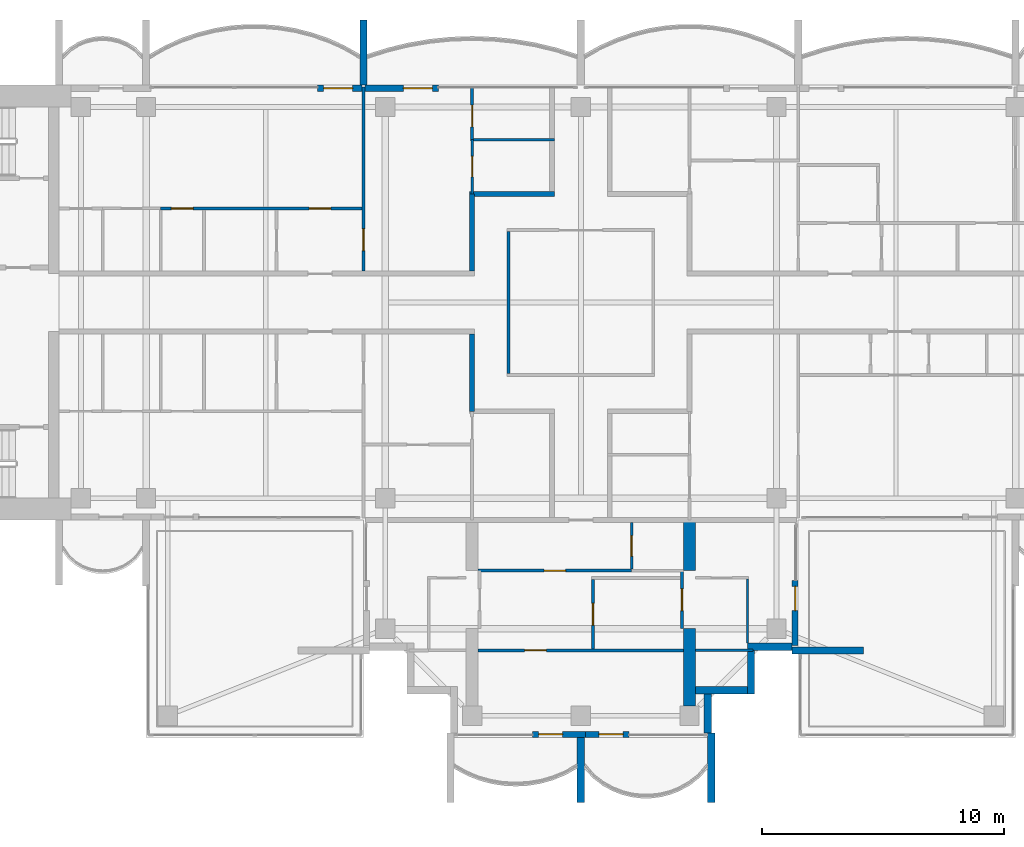
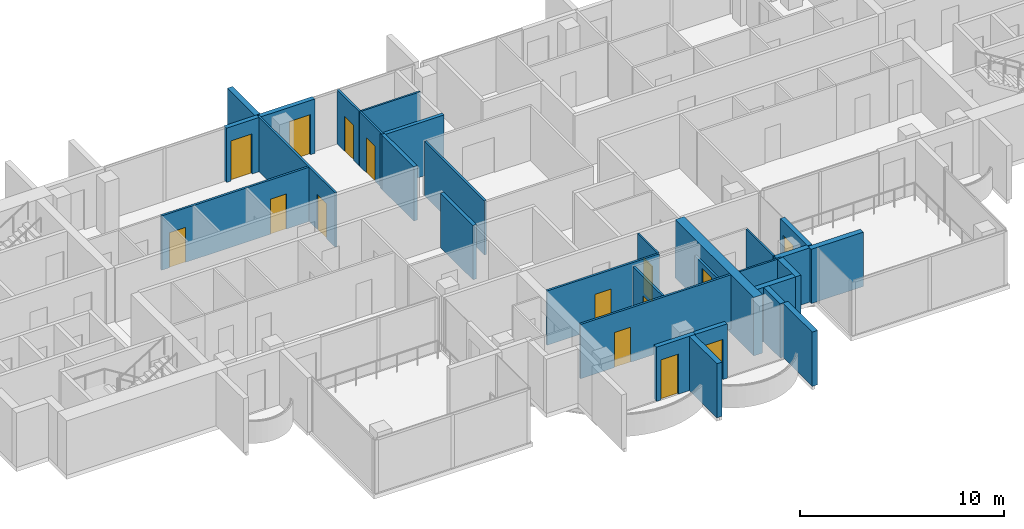
# One storey, part 9 of 17: 30 walls, 15 doors, 15 openings.
"""IFC4 building model written with IfcOpenShell, lengths in metres."""

from ifc_helpers import new_model, si_unit, direction, frame, frame_2d, origin, place, context, subcontext, project, spatial, polyline, rectangle, outline, extrude, material, layer, layer_set, material_profile, profile_set, type_object, element, fill, save


model = new_model("IFC4")

# Units and contexts
model_context = context("Model", 3, precision=1e-05, world=origin(), true_north=direction((0.0, 1.0)))
body_context = subcontext(model_context, "Body", "Model", "MODEL_VIEW")
ifc_project = project(units=[si_unit("LENGTHUNIT", "METRE"), si_unit("AREAUNIT", "SQUARE_METRE"), si_unit("VOLUMEUNIT", "CUBIC_METRE"), si_unit("PLANEANGLEUNIT", "RADIAN"), si_unit("MASSUNIT", "GRAM", prefix="KILO")], contexts=[model_context])

# Site, building, storey
site_placement = place(None, origin())
site = spatial("IfcSite", under=ifc_project, at=site_placement, CompositionType="ELEMENT")
building_placement = place(site_placement, origin())
building = spatial("IfcBuilding", under=site, at=building_placement, Name="Perihelion Cross Residences", CompositionType="ELEMENT")
storey_placement = place(building_placement, frame((0.0, 0.0, 278.0)))
storey = spatial("IfcBuildingStorey", under=building, at=storey_placement, Name="L71", CompositionType="ELEMENT", Elevation=278.0)

# Walls
ifc_material_1 = material(Name="Plasterboard partition")
ifc_layer_1 = layer(ifc_material_1, 0.199951171875)
ifc_layer_set_1 = layer_set([ifc_layer_1], Name="Apartment separation wall 200")
wall_type_1 = type_object("IfcWallType", Name="Apartment separation wall 200", PredefinedType="PARTITIONING", material=ifc_layer_set_1)
wall_1_placement = place(storey_placement, frame((-4.5, 1.300048828125, 0.0), z_axis=(0.0, 0.0, 1.0), x_axis=(0.0, 1.0, 0.0)))
element("IfcWall", 1, at=wall_1_placement, inside=storey, type_object=wall_type_1, Name="Partition L71 W014", PredefinedType="PARTITIONING", context=body_context, shape_type="SweptSolid", body=[
    extrude(rectangle(XDim=3.199951171875, YDim=0.199951171875, at=frame_2d((1.60009765625, 0.0))), origin(), (0.0, 0.0, 1.0), 3.25),
])
wall_2_placement = place(storey_placement, frame((-4.60009765625, 4.5, 0.0), z_axis=(0.0, 0.0, 1.0), x_axis=(1.0, 0.0, 0.0)))
element("IfcWall", 2, at=wall_2_placement, inside=storey, type_object=wall_type_1, Name="Partition L71 W015", PredefinedType="PARTITIONING", context=body_context, shape_type="SweptSolid", body=[
    extrude(rectangle(XDim=3.5, YDim=0.199951171875, at=frame_2d((1.75, 0.0))), origin(), (0.0, 0.0, 1.0), 3.25),
])
wall_3_placement = place(storey_placement, frame((-4.5, -4.5, 0.0), z_axis=(0.0, 0.0, 1.0), x_axis=(0.0, 1.0, 0.0)))
element("IfcWall", 3, at=wall_3_placement, inside=storey, type_object=wall_type_1, Name="Partition L71 W018", PredefinedType="PARTITIONING", context=body_context, shape_type="SweptSolid", body=[
    extrude(rectangle(XDim=3.199951171875, YDim=0.199951171875, at=frame_2d((1.60009765625, 0.0))), origin(), (0.0, 0.0, 1.0), 3.25),
])

# Wall, opening, door
ifc_material_2 = material(Name="Concrete C30/37, bronze-clad", Category="concrete")
ifc_layer_2 = layer(ifc_material_2, 0.25)
ifc_layer_set_2 = layer_set([ifc_layer_2], Name="Bronze-clad pier wall 250")
wall_type_2 = type_object("IfcWallType", Name="Bronze-clad pier wall 250", PredefinedType="SOLIDWALL", material=ifc_layer_set_2)
wall_4_placement = place(storey_placement, frame((-5.89990234375, 8.875, 0.0), z_axis=(0.0, 0.0, 1.0), x_axis=(-1.0, 0.0, 0.0)))
wall_4 = element("IfcWall", 4, at=wall_4_placement, inside=storey, type_object=wall_type_2, Name="Wall FW1 L71 north side east bay 2 pier", PredefinedType="SOLIDWALL", context=body_context, shape_type="SweptSolid", body=[
    extrude(rectangle(XDim=3.0400390625, YDim=0.25, at=frame_2d((1.52001953125, 0.0))), origin(), (0.0, 0.0, 1.0), 3.25),
])
opening_1_placement = place(wall_4_placement, frame((0.25, 0.0, 0.0)))
opening_1 = element("IfcOpeningElement", 5, at=opening_1_placement, cuts=wall_4, Name="Opening L71.E04", PredefinedType="OPENING", context=body_context, shape_type="SweptSolid", body=[
    extrude(rectangle(XDim=1.199951171875, YDim=2.39990234375, at=frame_2d((0.60009765625, 1.199951171875))), frame((0.0, 0.135009765625, 0.0), z_axis=(0.0, -1.0, 0.0), x_axis=(1.0, 0.0, 0.0)), (0.0, 0.0, 1.0), 0.27001953125),
])
ifc_material_3 = material(Name="Bronze anodised aluminium, glazed", Category="aluminium")
door_type_1 = type_object("IfcDoorType", Name="Balcony door 1200 x 2400", OperationType="NOTDEFINED", PredefinedType="DOOR", material=ifc_material_3)
door_1_placement = place(opening_1_placement, origin())
door_1 = element("IfcDoor", 6, at=door_1_placement, inside=storey, type_object=door_type_1, Name="Door L71.E04 north side east bay 2", OperationType="SINGLE_SWING_RIGHT", OverallHeight=2.39990234375, OverallWidth=1.199951171875, PredefinedType="DOOR", context=body_context, shape_type="SweptSolid", body=[
    extrude(rectangle(XDim=1.199951171875, YDim=2.39990234375, at=frame_2d((0.60009765625, 1.199951171875))), frame((0.0, 0.02490234375, 0.0), z_axis=(0.0, -1.0, 0.0), x_axis=(1.0, 0.0, 0.0)), (0.0, 0.0, 1.0), 0.050048828125),
])
fill(opening_1, door_1)

wall_5_placement = place(storey_placement, frame((-9.06005859375, 8.875, 0.0), z_axis=(0.0, 0.0, 1.0), x_axis=(-1.0, 0.0, 0.0)))
wall_5 = element("IfcWall", 7, at=wall_5_placement, inside=storey, type_object=wall_type_2, Name="Wall FW1 L71 west side north bay 1 pier", PredefinedType="SOLIDWALL", context=body_context, shape_type="SweptSolid", body=[
    extrude(rectangle(XDim=1.83984375, YDim=0.25, at=frame_2d((0.919921875, 0.0))), origin(), (0.0, 0.0, 1.0), 3.25),
])
opening_2_placement = place(wall_5_placement, frame((0.389892578125, 0.0, 0.0)))
opening_2 = element("IfcOpeningElement", 8, at=opening_2_placement, cuts=wall_5, Name="Opening L71.E05", PredefinedType="OPENING", context=body_context, shape_type="SweptSolid", body=[
    extrude(rectangle(XDim=1.199951171875, YDim=2.39990234375, at=frame_2d((0.60009765625, 1.199951171875))), frame((0.0, 0.135009765625, 0.0), z_axis=(0.0, -1.0, 0.0), x_axis=(1.0, 0.0, 0.0)), (0.0, 0.0, 1.0), 0.27001953125),
])
door_2_placement = place(opening_2_placement, origin())
door_2 = element("IfcDoor", 9, at=door_2_placement, inside=storey, type_object=door_type_1, Name="Door L71.E05 west side north bay 1", OperationType="SINGLE_SWING_LEFT", OverallHeight=2.39990234375, OverallWidth=1.199951171875, PredefinedType="DOOR", context=body_context, shape_type="SweptSolid", body=[
    extrude(rectangle(XDim=1.199951171875, YDim=2.39990234375, at=frame_2d((0.60009765625, 1.199951171875))), frame((0.0, 0.02490234375, 0.0), z_axis=(0.0, -1.0, 0.0), x_axis=(1.0, 0.0, 0.0)), (0.0, 0.0, 1.0), 0.050048828125),
])
fill(opening_2, door_2)

wall_6_placement = place(storey_placement, frame((-2.0, -17.875, 0.0), z_axis=(0.0, 0.0, 1.0), x_axis=(1.0, 0.0, 0.0)))
wall_6 = element("IfcWall", 10, at=wall_6_placement, inside=storey, type_object=wall_type_2, Name="Wall FW1 L71 south tip south bay 1 pier", PredefinedType="SOLIDWALL", context=body_context, shape_type="SweptSolid", body=[
    extrude(rectangle(XDim=2.199951171875, YDim=0.25, at=frame_2d((1.10009765625, 0.0))), origin(), (0.0, 0.0, 1.0), 3.25),
])
opening_3_placement = place(wall_6_placement, frame((0.25, 0.0, 0.0)))
opening_3 = element("IfcOpeningElement", 11, at=opening_3_placement, cuts=wall_6, Name="Opening L71.E10", PredefinedType="OPENING", context=body_context, shape_type="SweptSolid", body=[
    extrude(rectangle(XDim=1.0, YDim=2.39990234375, at=frame_2d((0.5, 1.199951171875))), frame((0.0, 0.135009765625, 0.0), z_axis=(0.0, -1.0, 0.0), x_axis=(1.0, 0.0, 0.0)), (0.0, 0.0, 1.0), 0.27001953125),
])
ifc_material_4 = material(Name="Bronze anodised aluminium, glazed", Category="aluminium")
door_type_2 = type_object("IfcDoorType", Name="Balcony door 1000 x 2400", OperationType="NOTDEFINED", PredefinedType="DOOR", material=ifc_material_4)
door_3_placement = place(opening_3_placement, origin())
door_3 = element("IfcDoor", 12, at=door_3_placement, inside=storey, type_object=door_type_2, Name="Door L71.E10 south tip south bay 1", OperationType="SINGLE_SWING_RIGHT", OverallHeight=2.39990234375, OverallWidth=1.0, PredefinedType="DOOR", context=body_context, shape_type="SweptSolid", body=[
    extrude(rectangle(XDim=1.0, YDim=2.39990234375, at=frame_2d((0.5, 1.199951171875))), frame((0.0, 0.02490234375, 0.0), z_axis=(0.0, -1.0, 0.0), x_axis=(1.0, 0.0, 0.0)), (0.0, 0.0, 1.0), 0.050048828125),
])
fill(opening_3, door_3)

wall_7_placement = place(storey_placement, frame((0.199951171875, -17.875, 0.0), z_axis=(0.0, 0.0, 1.0), x_axis=(1.0, 0.0, 0.0)))
wall_7 = element("IfcWall", 13, at=wall_7_placement, inside=storey, type_object=wall_type_2, Name="Wall FW1 L71 south tip south bay 2 pier", PredefinedType="SOLIDWALL", context=body_context, shape_type="SweptSolid", body=[
    extrude(rectangle(XDim=1.800048828125, YDim=0.25, at=frame_2d((0.89990234375, 0.0))), origin(), (0.0, 0.0, 1.0), 3.25),
])
opening_4_placement = place(wall_7_placement, frame((0.550048828125, 0.0, 0.0)))
opening_4 = element("IfcOpeningElement", 14, at=opening_4_placement, cuts=wall_7, Name="Opening L71.E11", PredefinedType="OPENING", context=body_context, shape_type="SweptSolid", body=[
    extrude(rectangle(XDim=1.0, YDim=2.39990234375, at=frame_2d((0.5, 1.199951171875))), frame((0.0, 0.135009765625, 0.0), z_axis=(0.0, -1.0, 0.0), x_axis=(1.0, 0.0, 0.0)), (0.0, 0.0, 1.0), 0.27001953125),
])
door_4_placement = place(opening_4_placement, origin())
door_4 = element("IfcDoor", 15, at=door_4_placement, inside=storey, type_object=door_type_2, Name="Door L71.E11 south tip south bay 2", OperationType="SINGLE_SWING_LEFT", OverallHeight=2.39990234375, OverallWidth=1.0, PredefinedType="DOOR", context=body_context, shape_type="SweptSolid", body=[
    extrude(rectangle(XDim=1.0, YDim=2.39990234375, at=frame_2d((0.5, 1.199951171875))), frame((0.0, 0.02490234375, 0.0), z_axis=(0.0, -1.0, 0.0), x_axis=(1.0, 0.0, 0.0)), (0.0, 0.0, 1.0), 0.050048828125),
])
fill(opening_4, door_4)

wall_8_placement = place(storey_placement, frame((8.875, -14.199951171875, 0.0), z_axis=(0.0, 0.0, 1.0), x_axis=(0.0, 1.0, 0.0)))
wall_8 = element("IfcWall", 16, at=wall_8_placement, inside=storey, type_object=wall_type_2, Name="Wall FW1 L71 south side east bay 1 pier", PredefinedType="SOLIDWALL", context=body_context, shape_type="SweptSolid", body=[
    extrude(rectangle(XDim=2.699951171875, YDim=0.25, at=frame_2d((1.35009765625, 0.0))), origin(), (0.0, 0.0, 1.0), 3.25),
])
opening_5_placement = place(wall_8_placement, frame((1.449951171875, 0.0, 0.0)))
opening_5 = element("IfcOpeningElement", 17, at=opening_5_placement, cuts=wall_8, Name="Opening L71.E12", PredefinedType="OPENING", context=body_context, shape_type="SweptSolid", body=[
    extrude(rectangle(XDim=1.0, YDim=2.39990234375, at=frame_2d((0.5, 1.199951171875))), frame((0.0, 0.135009765625, 0.0), z_axis=(0.0, -1.0, 0.0), x_axis=(1.0, 0.0, 0.0)), (0.0, 0.0, 1.0), 0.27001953125),
])
door_5_placement = place(opening_5_placement, origin())
door_5 = element("IfcDoor", 18, at=door_5_placement, inside=storey, type_object=door_type_2, Name="Door L71.E12 south side east bay 1", OperationType="SINGLE_SWING_RIGHT", OverallHeight=2.39990234375, OverallWidth=1.0, PredefinedType="DOOR", context=body_context, shape_type="SweptSolid", body=[
    extrude(rectangle(XDim=1.0, YDim=2.39990234375, at=frame_2d((0.5, 1.199951171875))), frame((0.0, 0.02490234375, 0.0), z_axis=(0.0, -1.0, 0.0), x_axis=(1.0, 0.0, 0.0)), (0.0, 0.0, 1.0), 0.050048828125),
])
fill(opening_5, door_5)

# Walls
ifc_material_5 = material(Name="Concrete C30/37, bronze-clad", Category="concrete")
ifc_layer_3 = layer(ifc_material_5, 0.300048828125)
ifc_layer_set_3 = layer_set([ifc_layer_3], Name="Bronze-clad serration wall 300")
wall_type_3 = type_object("IfcWallType", Name="Bronze-clad serration wall 300", PredefinedType="SOLIDWALL", material=ifc_layer_set_3)
wall_9_placement = place(storey_placement, frame((5.25, -17.820068359375, 0.0), z_axis=(0.0, 0.0, 1.0), x_axis=(0.0, 1.0, 0.0)))
element("IfcWall", 19, at=wall_9_placement, inside=storey, type_object=wall_type_3, Name="Wall SR1 L71 south corner south-east 1", PredefinedType="SOLIDWALL", context=body_context, shape_type="SweptSolid", body=[
    extrude(rectangle(XDim=1.6201171875, YDim=0.300048828125, at=frame_2d((0.81005859375, 0.0))), origin(), (0.0, 0.0, 1.0), 3.25),
])
wall_10_placement = place(storey_placement, frame((4.75, -16.050048828125, 0.0), z_axis=(0.0, 0.0, 1.0), x_axis=(1.0, 0.0, 0.0)))
element("IfcWall", 20, at=wall_10_placement, inside=storey, type_object=wall_type_3, Name="Wall SR1 L71 south corner south-east 2", PredefinedType="SOLIDWALL", context=body_context, shape_type="SweptSolid", body=[
    extrude(rectangle(XDim=2.14990234375, YDim=0.300048828125, at=frame_2d((1.074951171875, 0.0))), origin(), (0.0, 0.0, 1.0), 3.25),
])
wall_11_placement = place(storey_placement, frame((7.050048828125, -16.199951171875, 0.0), z_axis=(0.0, 0.0, 1.0), x_axis=(0.0, 1.0, 0.0)))
element("IfcWall", 21, at=wall_11_placement, inside=storey, type_object=wall_type_3, Name="Wall SR1 L71 south corner south-east 3", PredefinedType="SOLIDWALL", context=body_context, shape_type="SweptSolid", body=[
    extrude(rectangle(XDim=1.800048828125, YDim=0.300048828125, at=frame_2d((0.89990234375, 0.0))), origin(), (0.0, 0.0, 1.0), 3.25),
])
wall_12_placement = place(storey_placement, frame((6.89990234375, -14.25, 0.0), z_axis=(0.0, 0.0, 1.0), x_axis=(1.0, 0.0, 0.0)))
element("IfcWall", 22, at=wall_12_placement, inside=storey, type_object=wall_type_3, Name="Wall SR1 L71 south corner south-east 4", PredefinedType="SOLIDWALL", context=body_context, shape_type="SweptSolid", body=[
    extrude(rectangle(XDim=1.85009765625, YDim=0.300048828125, at=frame_2d((0.925048828125, 0.0))), origin(), (0.0, 0.0, 1.0), 3.25),
])

# Wall, opening, door
ifc_material_6 = material(Name="Plasterboard partition")
ifc_layer_4 = layer(ifc_material_6, 0.1201171875)
ifc_layer_set_4 = layer_set([ifc_layer_4], Name="Infill panel 120")
wall_type_4 = type_object("IfcWallType", Name="Infill panel 120", PredefinedType="PARTITIONING", material=ifc_layer_set_4)
wall_13_placement = place(storey_placement, frame((4.18994140625, -11.10009765625, 0.0), z_axis=(0.0, 0.0, 1.0), x_axis=(0.0, -1.0, 0.0)))
wall_13 = element("IfcWall", 23, at=wall_13_placement, inside=storey, type_object=wall_type_4, Name="Partition L71 WI01", PredefinedType="PARTITIONING", context=body_context, shape_type="SweptSolid", body=[
    extrude(rectangle(XDim=2.39990234375, YDim=0.1201171875, at=frame_2d((1.199951171875, 0.0))), origin(), (0.0, 0.0, 1.0), 2.39990234375),
])
opening_6_placement = place(wall_13_placement, frame((0.75, 0.0, 0.0)))
opening_6 = element("IfcOpeningElement", 24, at=opening_6_placement, cuts=wall_13, Name="Opening L71.A46", PredefinedType="OPENING", context=body_context, shape_type="SweptSolid", body=[
    extrude(rectangle(XDim=0.89990234375, YDim=2.10009765625, at=frame_2d((0.449951171875, 1.050048828125))), frame((0.0, 0.070068359375, 0.0), z_axis=(0.0, -1.0, 0.0), x_axis=(1.0, 0.0, 0.0)), (0.0, 0.0, 1.0), 0.14013671875),
])
ifc_material_7 = material(Name="Timber door leaf", Category="wood")
door_type_3 = type_object("IfcDoorType", Name="Interior room door 900 x 2100", OperationType="SINGLE_SWING_LEFT", PredefinedType="DOOR", material=ifc_material_7)
door_6_placement = place(opening_6_placement, origin())
door_6 = element("IfcDoor", 25, at=door_6_placement, inside=storey, type_object=door_type_3, Name="Door L71.A46", OperationType="SINGLE_SWING_LEFT", OverallHeight=2.10009765625, OverallWidth=0.89990234375, PredefinedType="DOOR", context=body_context, shape_type="SweptSolid", body=[
    extrude(rectangle(XDim=0.89990234375, YDim=2.10009765625, at=frame_2d((0.449951171875, 1.050048828125))), frame((0.0, 0.02490234375, 0.0), z_axis=(0.0, -1.0, 0.0), x_axis=(1.0, 0.0, 0.0)), (0.0, 0.0, 1.0), 0.050048828125),
])
fill(opening_6, door_6)

# Wall
ifc_material_8 = material(Name="Plasterboard partition")
ifc_layer_5 = layer(ifc_material_8, 0.1201171875)
ifc_layer_set_5 = layer_set([ifc_layer_5], Name="Partition wall 120")
wall_type_5 = type_object("IfcWallType", Name="Partition wall 120", PredefinedType="PARTITIONING", material=ifc_layer_set_5)
wall_14_placement = place(storey_placement, frame((-3.0, 2.93994140625, 0.0), z_axis=(0.0, 0.0, 1.0), x_axis=(0.0, -1.0, 0.0)))
element("IfcWall", 26, at=wall_14_placement, inside=storey, type_object=wall_type_5, Name="Partition L71 W004", PredefinedType="PARTITIONING", context=body_context, shape_type="SweptSolid", body=[
    extrude(rectangle(XDim=5.8798828125, YDim=0.1201171875, at=frame_2d((2.93994140625, 0.0))), origin(), (0.0, 0.0, 1.0), 3.25),
])

# Wall, openings, doors
wall_15_placement = place(storey_placement, frame((-17.39990234375, 3.89990234375, 0.0), z_axis=(0.0, 0.0, 1.0), x_axis=(1.0, 0.0, 0.0)))
wall_15 = element("IfcWall", 27, at=wall_15_placement, inside=storey, type_object=wall_type_5, Name="Partition L71 W047", PredefinedType="PARTITIONING", context=body_context, shape_type="SweptSolid", body=[
    extrude(rectangle(XDim=8.4599609375, YDim=0.1201171875, at=frame_2d((4.22998046875, 0.0))), origin(), (0.0, 0.0, 1.0), 3.25),
])
opening_7_placement = place(wall_15_placement, frame((0.449951171875, 0.0, 0.0)))
opening_7 = element("IfcOpeningElement", 28, at=opening_7_placement, cuts=wall_15, Name="Opening L71.A22", PredefinedType="OPENING", context=body_context, shape_type="SweptSolid", body=[
    extrude(rectangle(XDim=0.89990234375, YDim=2.10009765625, at=frame_2d((0.449951171875, 1.050048828125))), frame((0.0, 0.070068359375, 0.0), z_axis=(0.0, -1.0, 0.0), x_axis=(1.0, 0.0, 0.0)), (0.0, 0.0, 1.0), 0.14013671875),
])
opening_8_placement = place(wall_15_placement, frame((6.14990234375, 0.0, 0.0)))
opening_8 = element("IfcOpeningElement", 29, at=opening_8_placement, cuts=wall_15, Name="Opening L71.A26", PredefinedType="OPENING", context=body_context, shape_type="SweptSolid", body=[
    extrude(rectangle(XDim=0.89990234375, YDim=2.10009765625, at=frame_2d((0.449951171875, 1.050048828125))), frame((0.0, 0.070068359375, 0.0), z_axis=(0.0, -1.0, 0.0), x_axis=(1.0, 0.0, 0.0)), (0.0, 0.0, 1.0), 0.14013671875),
])
door_7_placement = place(opening_7_placement, origin())
door_7 = element("IfcDoor", 30, at=door_7_placement, inside=storey, type_object=door_type_3, Name="Door L71.A22", OperationType="SINGLE_SWING_RIGHT", OverallHeight=2.10009765625, OverallWidth=0.89990234375, PredefinedType="DOOR", context=body_context, shape_type="SweptSolid", body=[
    extrude(rectangle(XDim=0.89990234375, YDim=2.10009765625, at=frame_2d((0.449951171875, 1.050048828125))), frame((0.0, 0.02490234375, 0.0), z_axis=(0.0, -1.0, 0.0), x_axis=(1.0, 0.0, 0.0)), (0.0, 0.0, 1.0), 0.050048828125),
])
fill(opening_7, door_7)
door_8_placement = place(opening_8_placement, origin())
door_8 = element("IfcDoor", 31, at=door_8_placement, inside=storey, type_object=door_type_3, Name="Door L71.A26", OperationType="SINGLE_SWING_RIGHT", OverallHeight=2.10009765625, OverallWidth=0.89990234375, PredefinedType="DOOR", context=body_context, shape_type="SweptSolid", body=[
    extrude(rectangle(XDim=0.89990234375, YDim=2.10009765625, at=frame_2d((0.449951171875, 1.050048828125))), frame((0.0, 0.02490234375, 0.0), z_axis=(0.0, -1.0, 0.0), x_axis=(1.0, 0.0, 0.0)), (0.0, 0.0, 1.0), 0.050048828125),
])
fill(opening_8, door_8)

# Wall, opening, door
wall_16_placement = place(storey_placement, frame((-9.0, 8.919921875, 0.0), z_axis=(0.0, 0.0, 1.0), x_axis=(0.0, -1.0, 0.0)))
wall_16 = element("IfcWall", 32, at=wall_16_placement, inside=storey, type_object=wall_type_5, Name="Partition L71 W048", PredefinedType="PARTITIONING", context=body_context, shape_type="SweptSolid", body=[
    extrude(rectangle(XDim=7.619873046875, YDim=0.1201171875, at=frame_2d((3.81005859375, 0.0))), origin(), (0.0, 0.0, 1.0), 3.25),
])
opening_9_placement = place(wall_16_placement, frame((5.8701171875, 0.0, 0.0)))
opening_9 = element("IfcOpeningElement", 33, at=opening_9_placement, cuts=wall_16, Name="Opening L71.A24", PredefinedType="OPENING", context=body_context, shape_type="SweptSolid", body=[
    extrude(rectangle(XDim=0.89990234375, YDim=2.10009765625, at=frame_2d((0.449951171875, 1.050048828125))), frame((0.0, 0.070068359375, 0.0), z_axis=(0.0, -1.0, 0.0), x_axis=(1.0, 0.0, 0.0)), (0.0, 0.0, 1.0), 0.14013671875),
])
door_9_placement = place(opening_9_placement, origin())
door_9 = element("IfcDoor", 34, at=door_9_placement, inside=storey, type_object=door_type_3, Name="Door L71.A24", OperationType="SINGLE_SWING_RIGHT", OverallHeight=2.10009765625, OverallWidth=0.89990234375, PredefinedType="DOOR", context=body_context, shape_type="SweptSolid", body=[
    extrude(rectangle(XDim=0.89990234375, YDim=2.10009765625, at=frame_2d((0.449951171875, 1.050048828125))), frame((0.0, 0.02490234375, 0.0), z_axis=(0.0, -1.0, 0.0), x_axis=(1.0, 0.0, 0.0)), (0.0, 0.0, 1.0), 0.050048828125),
])
fill(opening_9, door_9)

wall_17_placement = place(storey_placement, frame((-4.5, 8.919921875, 0.0), z_axis=(0.0, 0.0, 1.0), x_axis=(0.0, -1.0, 0.0)))
wall_17 = element("IfcWall", 35, at=wall_17_placement, inside=storey, type_object=wall_type_5, Name="Partition L71 W055", PredefinedType="PARTITIONING", context=body_context, shape_type="SweptSolid", body=[
    extrude(rectangle(XDim=2.169921875, YDim=0.1201171875, at=frame_2d((1.0849609375, 0.0))), origin(), (0.0, 0.0, 1.0), 3.25),
])
opening_10_placement = place(wall_17_placement, frame((0.7451171875, 0.0, 0.0)))
opening_10 = element("IfcOpeningElement", 36, at=opening_10_placement, cuts=wall_17, Name="Opening L71.A23", PredefinedType="OPENING", context=body_context, shape_type="SweptSolid", body=[
    extrude(rectangle(XDim=0.89990234375, YDim=2.10009765625, at=frame_2d((0.449951171875, 1.050048828125))), frame((0.0, 0.070068359375, 0.0), z_axis=(0.0, -1.0, 0.0), x_axis=(1.0, 0.0, 0.0)), (0.0, 0.0, 1.0), 0.14013671875),
])
door_10_placement = place(opening_10_placement, origin())
door_10 = element("IfcDoor", 37, at=door_10_placement, inside=storey, type_object=door_type_3, Name="Door L71.A23", OperationType="SINGLE_SWING_LEFT", OverallHeight=2.10009765625, OverallWidth=0.89990234375, PredefinedType="DOOR", context=body_context, shape_type="SweptSolid", body=[
    extrude(rectangle(XDim=0.89990234375, YDim=2.10009765625, at=frame_2d((0.449951171875, 1.050048828125))), frame((0.0, 0.02490234375, 0.0), z_axis=(0.0, -1.0, 0.0), x_axis=(1.0, 0.0, 0.0)), (0.0, 0.0, 1.0), 0.050048828125),
])
fill(opening_10, door_10)

wall_18_placement = place(storey_placement, frame((2.10009765625, -11.10009765625, 0.0), z_axis=(0.0, 0.0, 1.0), x_axis=(-1.0, 0.0, 0.0)))
wall_18 = element("IfcWall", 38, at=wall_18_placement, inside=storey, type_object=wall_type_5, Name="Partition L71 W068", PredefinedType="PARTITIONING", context=body_context, shape_type="SweptSolid", body=[
    extrude(rectangle(XDim=6.35009765625, YDim=0.1201171875, at=frame_2d((3.175048828125, 0.0))), origin(), (0.0, 0.0, 1.0), 3.25),
])
opening_11_placement = place(wall_18_placement, frame((2.72509765625, 0.0, 0.0)))
opening_11 = element("IfcOpeningElement", 39, at=opening_11_placement, cuts=wall_18, Name="Opening L71.A37", PredefinedType="OPENING", context=body_context, shape_type="SweptSolid", body=[
    extrude(rectangle(XDim=0.89990234375, YDim=2.10009765625, at=frame_2d((0.449951171875, 1.050048828125))), frame((0.0, 0.070068359375, 0.0), z_axis=(0.0, -1.0, 0.0), x_axis=(1.0, 0.0, 0.0)), (0.0, 0.0, 1.0), 0.14013671875),
])
door_11_placement = place(opening_11_placement, origin())
door_11 = element("IfcDoor", 40, at=door_11_placement, inside=storey, type_object=door_type_3, Name="Door L71.A37", OperationType="SINGLE_SWING_LEFT", OverallHeight=2.10009765625, OverallWidth=0.89990234375, PredefinedType="DOOR", context=body_context, shape_type="SweptSolid", body=[
    extrude(rectangle(XDim=0.89990234375, YDim=2.10009765625, at=frame_2d((0.449951171875, 1.050048828125))), frame((0.0, 0.02490234375, 0.0), z_axis=(0.0, -1.0, 0.0), x_axis=(1.0, 0.0, 0.0)), (0.0, 0.0, 1.0), 0.050048828125),
])
fill(opening_11, door_11)

wall_19_placement = place(storey_placement, frame((0.5, -11.4599609375, 0.0), z_axis=(0.0, 0.0, 1.0), x_axis=(0.0, -1.0, 0.0)))
wall_19 = element("IfcWall", 41, at=wall_19_placement, inside=storey, type_object=wall_type_5, Name="Partition L71 W071", PredefinedType="PARTITIONING", context=body_context, shape_type="SweptSolid", body=[
    extrude(rectangle(XDim=2.880126953125, YDim=0.1201171875, at=frame_2d((1.43994140625, 0.0))), origin(), (0.0, 0.0, 1.0), 3.25),
])
opening_12_placement = place(wall_19_placement, frame((0.989990234375, 0.0, 0.0)))
opening_12 = element("IfcOpeningElement", 42, at=opening_12_placement, cuts=wall_19, Name="Opening L71.A38", PredefinedType="OPENING", context=body_context, shape_type="SweptSolid", body=[
    extrude(rectangle(XDim=0.89990234375, YDim=2.10009765625, at=frame_2d((0.449951171875, 1.050048828125))), frame((0.0, 0.070068359375, 0.0), z_axis=(0.0, -1.0, 0.0), x_axis=(1.0, 0.0, 0.0)), (0.0, 0.0, 1.0), 0.14013671875),
])
door_12_placement = place(opening_12_placement, origin())
door_12 = element("IfcDoor", 43, at=door_12_placement, inside=storey, type_object=door_type_3, Name="Door L71.A38", OperationType="SINGLE_SWING_LEFT", OverallHeight=2.10009765625, OverallWidth=0.89990234375, PredefinedType="DOOR", context=body_context, shape_type="SweptSolid", body=[
    extrude(rectangle(XDim=0.89990234375, YDim=2.10009765625, at=frame_2d((0.449951171875, 1.050048828125))), frame((0.0, 0.02490234375, 0.0), z_axis=(0.0, -1.0, 0.0), x_axis=(1.0, 0.0, 0.0)), (0.0, 0.0, 1.0), 0.050048828125),
])
fill(opening_12, door_12)

wall_20_placement = place(storey_placement, frame((4.25, -14.39990234375, 0.0), z_axis=(0.0, 0.0, 1.0), x_axis=(-1.0, 0.0, 0.0)))
wall_20 = element("IfcWall", 44, at=wall_20_placement, inside=storey, type_object=wall_type_5, Name="Partition L71 W072", PredefinedType="PARTITIONING", context=body_context, shape_type="SweptSolid", body=[
    extrude(rectangle(XDim=8.5, YDim=0.1201171875, at=frame_2d((4.25, 0.0))), origin(), (0.0, 0.0, 1.0), 3.25),
])
opening_13_placement = place(wall_20_placement, frame((5.675048828125, 0.0, 0.0)))
opening_13 = element("IfcOpeningElement", 45, at=opening_13_placement, cuts=wall_20, Name="Opening L71.A39", PredefinedType="OPENING", context=body_context, shape_type="SweptSolid", body=[
    extrude(rectangle(XDim=0.89990234375, YDim=2.10009765625, at=frame_2d((0.449951171875, 1.050048828125))), frame((0.0, 0.070068359375, 0.0), z_axis=(0.0, -1.0, 0.0), x_axis=(1.0, 0.0, 0.0)), (0.0, 0.0, 1.0), 0.14013671875),
])
door_13_placement = place(opening_13_placement, origin())
door_13 = element("IfcDoor", 46, at=door_13_placement, inside=storey, type_object=door_type_3, Name="Door L71.A39", OperationType="SINGLE_SWING_LEFT", OverallHeight=2.10009765625, OverallWidth=0.89990234375, PredefinedType="DOOR", context=body_context, shape_type="SweptSolid", body=[
    extrude(rectangle(XDim=0.89990234375, YDim=2.10009765625, at=frame_2d((0.449951171875, 1.050048828125))), frame((0.0, 0.02490234375, 0.0), z_axis=(0.0, -1.0, 0.0), x_axis=(1.0, 0.0, 0.0)), (0.0, 0.0, 1.0), 0.050048828125),
])
fill(opening_13, door_13)

# Walls
ifc_material_9 = material(Name="Precast concrete C50/60", Category="concrete")
ifc_layer_6 = layer(ifc_material_9, 0.300048828125)
ifc_layer_set_6 = layer_set([ifc_layer_6], Name="Precast concrete C50/60 blade wall 300")
wall_type_6 = type_object("IfcWallType", Name="Precast concrete C50/60 blade wall 300", PredefinedType="SOLIDWALL", material=ifc_layer_set_6)
for number, where, z_axis, x_axis, name in (
    (47, (-9.0, 9.0, 0.0), (0.0, 0.0, 1.0), (0.0, 1.0, 0.0), "Wall BL1 L71 no. 7"),
    (48, (0.0, -18.0, 0.0), (0.0, 0.0, 1.0), (0.0, -1.0, 0.0), "Wall BL1 L71 no. 8"),
):
    element("IfcWall", number, at=place(storey_placement, frame(where, z_axis=z_axis, x_axis=x_axis)), inside=storey, type_object=wall_type_6, Name=name, PredefinedType="SOLIDWALL", context=body_context, shape_type="SweptSolid", body=[
        extrude(rectangle(XDim=2.699951171875, YDim=0.300048828125, at=frame_2d((1.35009765625, 0.0))), origin(), (0.0, 0.0, 1.0), 3.25),
    ])
wall_21_placement = place(storey_placement, frame((5.39990234375, -17.820068359375, 0.0), z_axis=(0.0, 0.0, 1.0), x_axis=(0.0, -1.0, 0.0)))
element("IfcWall", 49, at=wall_21_placement, inside=storey, type_object=wall_type_6, Name="Wall BL1 L71 no. 14", PredefinedType="SOLIDWALL", context=body_context, shape_type="SweptSolid", body=[
    extrude(rectangle(XDim=2.8798828125, YDim=0.300048828125, at=frame_2d((1.43994140625, 0.0))), origin(), (0.0, 0.0, 1.0), 3.25),
])
wall_22_placement = place(storey_placement, frame((8.75, -14.39990234375, 0.0), z_axis=(0.0, 0.0, 1.0), x_axis=(1.0, 0.0, 0.0)))
element("IfcWall", 50, at=wall_22_placement, inside=storey, type_object=wall_type_6, Name="Wall BL1 L71 no. 15", PredefinedType="SOLIDWALL", context=body_context, shape_type="SweptSolid", body=[
    extrude(rectangle(XDim=2.949951171875, YDim=0.300048828125, at=frame_2d((1.47509765625, 0.0))), origin(), (0.0, 0.0, 1.0), 3.25),
])
ifc_material_10 = material(Name="Concrete C50/60", Category="concrete")
ifc_material_profile = material_profile(ifc_material_10, outline(polyline([(0.0, 0.0), (3.199951171875, 0.0), (3.199951171875, 2.64990234375), (5.60009765625, 2.64990234375), (5.60009765625, 0.0), (7.699951171875, 0.0), (7.699951171875, 3.5), (0.0, 3.5), (0.0, 0.0)])), Name="Tip spine wall")
ifc_profile_set = profile_set([ifc_material_profile], Name="Concrete C50/60")
wall_type_7 = type_object("IfcWallType", Name="Tip spine wall 500 with 1 door openings 7700 long 3500 high concrete C50/60", PredefinedType="SHEAR", material=ifc_profile_set)
wall_23_placement = place(storey_placement, frame((4.25, -16.699951171875, -0.25), z_axis=(1.0, 0.0, 0.0), x_axis=(0.0, 1.0, 0.0)))
element("IfcWall", 51, at=wall_23_placement, inside=storey, type_object=wall_type_7, Name="Shear wall SW45 L71 south east", PredefinedType="SHEAR", context=body_context, shape_type="SweptSolid", body=[
    extrude(outline(polyline([(0.0, 0.0), (3.199951171875, 0.0), (3.199951171875, 2.64990234375), (5.60009765625, 2.64990234375), (5.60009765625, 0.0), (7.699951171875, 0.0), (7.699951171875, 3.5), (0.0, 3.5), (0.0, 0.0)])), origin(), (0.0, 0.0, 1.0), 0.5),
])

# Wall, opening, door
ifc_material_11 = material(Name="Plasterboard partition")
ifc_layer_7 = layer(ifc_material_11, 0.10009765625)
ifc_layer_set_7 = layer_set([ifc_layer_7], Name="Wet room wall 100")
wall_type_8 = type_object("IfcWallType", Name="Wet room wall 100", PredefinedType="PARTITIONING", material=ifc_layer_set_7)
wall_24_placement = place(storey_placement, frame((-4.5, 6.75, 0.0), z_axis=(0.0, 0.0, 1.0), x_axis=(0.0, -1.0, 0.0)))
wall_24 = element("IfcWall", 52, at=wall_24_placement, inside=storey, type_object=wall_type_8, Name="Partition L71 W054", PredefinedType="PARTITIONING", context=body_context, shape_type="SweptSolid", body=[
    extrude(rectangle(XDim=2.25, YDim=0.10009765625, at=frame_2d((1.125, 0.0))), origin(), (0.0, 0.0, 1.0), 3.25),
])
opening_14_placement = place(wall_24_placement, frame((0.699951171875, 0.0, 0.0)))
opening_14 = element("IfcOpeningElement", 53, at=opening_14_placement, cuts=wall_24, Name="Opening L71.A25", PredefinedType="OPENING", context=body_context, shape_type="SweptSolid", body=[
    extrude(rectangle(XDim=0.85009765625, YDim=2.10009765625, at=frame_2d((0.425048828125, 1.050048828125))), frame((0.0, 0.06005859375, 0.0), z_axis=(0.0, -1.0, 0.0), x_axis=(1.0, 0.0, 0.0)), (0.0, 0.0, 1.0), 0.1201171875),
])
ifc_material_12 = material(Name="Timber door leaf", Category="wood")
door_type_4 = type_object("IfcDoorType", Name="Interior bathroom door 850 x 2100", OperationType="SINGLE_SWING_LEFT", PredefinedType="DOOR", material=ifc_material_12)
door_14_placement = place(opening_14_placement, origin())
door_14 = element("IfcDoor", 54, at=door_14_placement, inside=storey, type_object=door_type_4, Name="Door L71.A25", OperationType="SINGLE_SWING_LEFT", OverallHeight=2.10009765625, OverallWidth=0.85009765625, PredefinedType="DOOR", context=body_context, shape_type="SweptSolid", body=[
    extrude(rectangle(XDim=0.85009765625, YDim=2.10009765625, at=frame_2d((0.425048828125, 1.050048828125))), frame((0.0, 0.02490234375, 0.0), z_axis=(0.0, -1.0, 0.0), x_axis=(1.0, 0.0, 0.0)), (0.0, 0.0, 1.0), 0.050048828125),
])
fill(opening_14, door_14)

# Wall
wall_25_placement = place(storey_placement, frame((-4.56005859375, 6.75, 0.0), z_axis=(0.0, 0.0, 1.0), x_axis=(1.0, 0.0, 0.0)))
element("IfcWall", 55, at=wall_25_placement, inside=storey, type_object=wall_type_8, Name="Partition L71 W056", PredefinedType="PARTITIONING", context=body_context, shape_type="SweptSolid", body=[
    extrude(rectangle(XDim=3.4599609375, YDim=0.10009765625, at=frame_2d((1.72998046875, 0.0))), origin(), (0.0, 0.0, 1.0), 3.25),
])

# Wall, opening, door
wall_26_placement = place(storey_placement, frame((2.10009765625, -9.10009765625, 0.0), z_axis=(0.0, 0.0, 1.0), x_axis=(0.0, -1.0, 0.0)))
wall_26 = element("IfcWall", 56, at=wall_26_placement, inside=storey, type_object=wall_type_8, Name="Partition L71 W067", PredefinedType="PARTITIONING", context=body_context, shape_type="SweptSolid", body=[
    extrude(rectangle(XDim=1.93994140625, YDim=0.10009765625, at=frame_2d((0.969970703125, 0.0))), origin(), (0.0, 0.0, 1.0), 3.25),
])
opening_15_placement = place(wall_26_placement, frame((0.544921875, 0.0, 0.0)))
opening_15 = element("IfcOpeningElement", 57, at=opening_15_placement, cuts=wall_26, Name="Opening L71.A36", PredefinedType="OPENING", context=body_context, shape_type="SweptSolid", body=[
    extrude(rectangle(XDim=0.85009765625, YDim=2.10009765625, at=frame_2d((0.425048828125, 1.050048828125))), frame((0.0, 0.06005859375, 0.0), z_axis=(0.0, -1.0, 0.0), x_axis=(1.0, 0.0, 0.0)), (0.0, 0.0, 1.0), 0.1201171875),
])
door_15_placement = place(opening_15_placement, origin())
door_15 = element("IfcDoor", 58, at=door_15_placement, inside=storey, type_object=door_type_4, Name="Door L71.A36", OperationType="SINGLE_SWING_RIGHT", OverallHeight=2.10009765625, OverallWidth=0.85009765625, PredefinedType="DOOR", context=body_context, shape_type="SweptSolid", body=[
    extrude(rectangle(XDim=0.85009765625, YDim=2.10009765625, at=frame_2d((0.425048828125, 1.050048828125))), frame((0.0, 0.02490234375, 0.0), z_axis=(0.0, -1.0, 0.0), x_axis=(1.0, 0.0, 0.0)), (0.0, 0.0, 1.0), 0.050048828125),
])
fill(opening_15, door_15)

# Walls
wall_27_placement = place(storey_placement, frame((6.89990234375, -14.10009765625, 0.0), z_axis=(0.0, 0.0, 1.0), x_axis=(0.0, 1.0, 0.0)))
element("IfcWall", 59, at=wall_27_placement, inside=storey, type_object=wall_type_8, Name="Partition L71 W073", PredefinedType="PARTITIONING", context=body_context, shape_type="SweptSolid", body=[
    extrude(rectangle(XDim=2.650146484375, YDim=0.10009765625, at=frame_2d((1.3251953125, 0.0))), origin(), (0.0, 0.0, 1.0), 3.25),
])
wall_28_placement = place(storey_placement, frame((7.1201171875, -14.39990234375, 0.0), z_axis=(0.0, 0.0, 1.0), x_axis=(-1.0, 0.0, 0.0)))
element("IfcWall", 60, at=wall_28_placement, inside=storey, type_object=wall_type_8, Name="Partition L71 W075", PredefinedType="PARTITIONING", context=body_context, shape_type="SweptSolid", body=[
    extrude(rectangle(XDim=2.3701171875, YDim=0.10009765625, at=frame_2d((1.18505859375, 0.0))), origin(), (0.0, 0.0, 1.0), 3.25),
])

save(model, "model.ifc")
